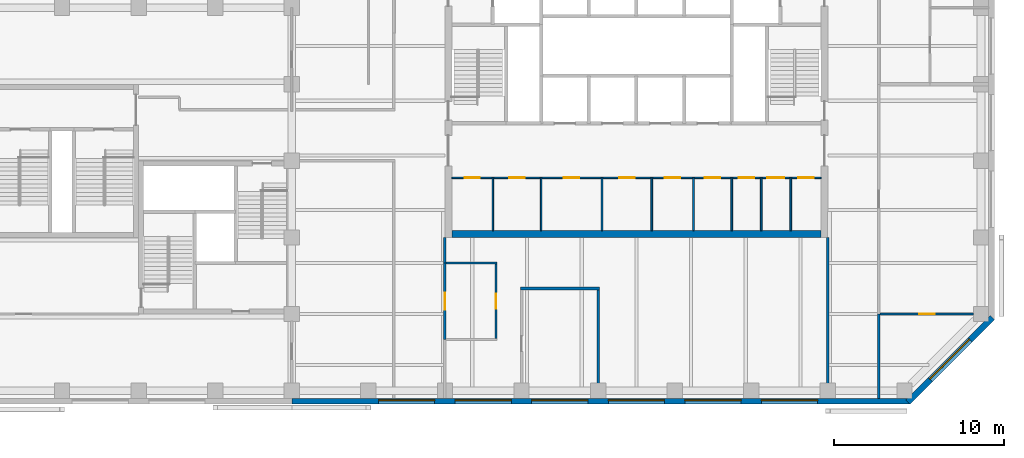
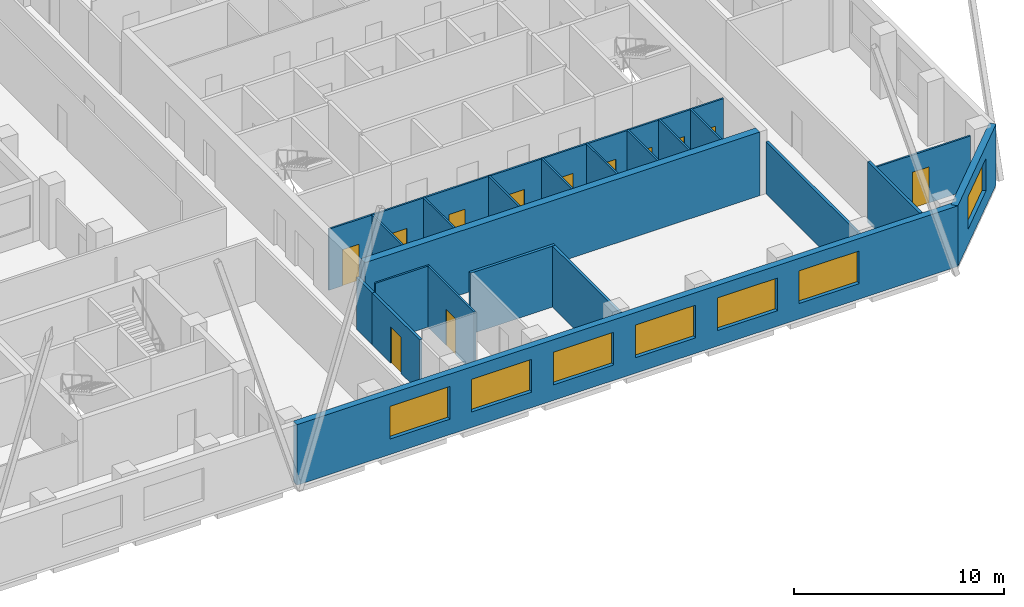
# One storey, part 4 of 9: 21 walls, 12 doors, 7 windows, 19 openings.
"""IFC4 building model written with IfcOpenShell, lengths in metres."""

from ifc_helpers import new_model, si_unit, direction, frame, frame_2d, origin, place, context, subcontext, project, spatial, rectangle, extrude, material, layer, layer_set, constituent, constituent_set, type_object, element, fill, save


model = new_model("IFC4")

# Units and contexts
model_context = context("Model", 3, precision=1e-05, world=origin(), true_north=direction((0.0, 1.0)))
body_context = subcontext(model_context, "Body", "Model", "MODEL_VIEW")
ifc_project = project(units=[si_unit("LENGTHUNIT", "METRE"), si_unit("AREAUNIT", "SQUARE_METRE"), si_unit("VOLUMEUNIT", "CUBIC_METRE"), si_unit("PLANEANGLEUNIT", "RADIAN"), si_unit("MASSUNIT", "GRAM", prefix="KILO")], contexts=[model_context])

# Site, building, storey
site_placement = place(None, origin())
site = spatial("IfcSite", under=ifc_project, at=site_placement, CompositionType="ELEMENT")
building_placement = place(site_placement, origin())
building = spatial("IfcBuilding", under=site, at=building_placement, Name="Quoin Convention Tower", CompositionType="ELEMENT")
storey_placement = place(building_placement, frame((0.0, 0.0, 158.800048828125)))
storey = spatial("IfcBuildingStorey", under=building, at=storey_placement, Name="L41", CompositionType="ELEMENT", Elevation=158.800048828125)

# Walls
ifc_material_1 = material(Name="Plasterboard")
ifc_layer_1 = layer(ifc_material_1, 0.012451171875, Name="Finish")
ifc_material_2 = material(Name="Steel stud framing", Category="steel")
ifc_layer_2 = layer(ifc_material_2, 0.125, Name="Structure")
ifc_layer_3 = layer(ifc_material_1, 0.012451171875, Name="Finish")
ifc_layer_set_1 = layer_set([ifc_layer_1, ifc_layer_2, ifc_layer_3], Name="Steel stud framing")
wall_type_1 = type_object("IfcWallType", Name="Acoustic partition 150", PredefinedType="PARTITIONING", material=ifc_layer_set_1)
wall_1_placement = place(storey_placement, frame((49.425048828125, 46.5, 0.0), z_axis=(0.0, 0.0, 1.0), x_axis=(1.0, 0.0, 0.0)))
element("IfcWall", 1, at=wall_1_placement, inside=storey, type_object=wall_type_1, Name="pw-L41-006", PredefinedType="PARTITIONING", context=body_context, shape_type="SweptSolid", body=[
    extrude(rectangle(XDim=4.64990234375, YDim=0.14990234375, at=frame_2d((2.324951171875, 0.0))), origin(), (0.0, 0.0, 1.0), 3.550048828125),
])
wall_2_placement = place(storey_placement, frame((54.0, 40.050048828125, 0.0), z_axis=(0.0, 0.0, 1.0), x_axis=(0.0, 1.0, 0.0)))
element("IfcWall", 2, at=wall_2_placement, inside=storey, type_object=wall_type_1, Name="pw-L41-033", PredefinedType="PARTITIONING", context=body_context, shape_type="SweptSolid", body=[
    extrude(rectangle(XDim=6.375, YDim=0.14990234375, at=frame_2d((3.1875, 0.0))), origin(), (0.0, 0.0, 1.0), 3.550048828125),
])

# Wall, openings, windows
ifc_material_3 = material(Name="Brick masonry", Category="masonry")
ifc_layer_4 = layer(ifc_material_3, 0.35009765625)
ifc_layer_set_2 = layer_set([ifc_layer_4], Name="Brick masonry")
wall_type_2 = type_object("IfcWallType", Name="Brick facade wall", PredefinedType="STANDARD", material=ifc_layer_set_2)
wall_3_placement = place(storey_placement, frame((36.0, 39.875, 0.0), z_axis=(0.0, 0.0, 1.0), x_axis=(1.0, 0.0, 0.0)))
wall_3 = element("IfcWall", 3, at=wall_3_placement, inside=storey, type_object=wall_type_2, Name="fw-L41-36000_40500", PredefinedType="STANDARD", context=body_context, shape_type="SweptSolid", body=[
    extrude(rectangle(XDim=36.331298828125, YDim=0.35009765625, at=frame_2d((18.16552734375, 0.0))), origin(), (0.0, 0.0, 1.0), 3.52490234375),
])
opening_1_placement = place(wall_3_placement, frame((5.10009765625, 0.0, 0.89990234375)))
opening_1 = element("IfcOpeningElement", 4, at=opening_1_placement, cuts=wall_3, Name="Opening W-02", PredefinedType="OPENING", context=body_context, shape_type="SweptSolid", body=[
    extrude(rectangle(XDim=3.300048828125, YDim=1.89990234375, at=frame_2d((1.64990234375, 0.949951171875))), frame((0.0, 0.18505859375, 0.0), z_axis=(0.0, -1.0, 0.0), x_axis=(1.0, 0.0, 0.0)), (0.0, 0.0, 1.0), 0.3701171875),
])
opening_2_placement = place(wall_3_placement, frame((9.60009765625, 0.0, 0.89990234375)))
opening_2 = element("IfcOpeningElement", 5, at=opening_2_placement, cuts=wall_3, Name="Opening W-02", PredefinedType="OPENING", context=body_context, shape_type="SweptSolid", body=[
    extrude(rectangle(XDim=3.300048828125, YDim=1.89990234375, at=frame_2d((1.64990234375, 0.949951171875))), frame((0.0, 0.18505859375, 0.0), z_axis=(0.0, -1.0, 0.0), x_axis=(1.0, 0.0, 0.0)), (0.0, 0.0, 1.0), 0.3701171875),
])
opening_3_placement = place(wall_3_placement, frame((14.10009765625, 0.0, 0.89990234375)))
opening_3 = element("IfcOpeningElement", 6, at=opening_3_placement, cuts=wall_3, Name="Opening W-02", PredefinedType="OPENING", context=body_context, shape_type="SweptSolid", body=[
    extrude(rectangle(XDim=3.300048828125, YDim=1.89990234375, at=frame_2d((1.64990234375, 0.949951171875))), frame((0.0, 0.18505859375, 0.0), z_axis=(0.0, -1.0, 0.0), x_axis=(1.0, 0.0, 0.0)), (0.0, 0.0, 1.0), 0.3701171875),
])
opening_4_placement = place(wall_3_placement, frame((18.60009765625, 0.0, 0.89990234375)))
opening_4 = element("IfcOpeningElement", 7, at=opening_4_placement, cuts=wall_3, Name="Opening W-02", PredefinedType="OPENING", context=body_context, shape_type="SweptSolid", body=[
    extrude(rectangle(XDim=3.300048828125, YDim=1.89990234375, at=frame_2d((1.64990234375, 0.949951171875))), frame((0.0, 0.18505859375, 0.0), z_axis=(0.0, -1.0, 0.0), x_axis=(1.0, 0.0, 0.0)), (0.0, 0.0, 1.0), 0.3701171875),
])
opening_5_placement = place(wall_3_placement, frame((23.10009765625, 0.0, 0.89990234375)))
opening_5 = element("IfcOpeningElement", 8, at=opening_5_placement, cuts=wall_3, Name="Opening W-02", PredefinedType="OPENING", context=body_context, shape_type="SweptSolid", body=[
    extrude(rectangle(XDim=3.300048828125, YDim=1.89990234375, at=frame_2d((1.64990234375, 0.949951171875))), frame((0.0, 0.18505859375, 0.0), z_axis=(0.0, -1.0, 0.0), x_axis=(1.0, 0.0, 0.0)), (0.0, 0.0, 1.0), 0.3701171875),
])
opening_6_placement = place(wall_3_placement, frame((27.60009765625, 0.0, 0.89990234375)))
opening_6 = element("IfcOpeningElement", 9, at=opening_6_placement, cuts=wall_3, Name="Opening W-02", PredefinedType="OPENING", context=body_context, shape_type="SweptSolid", body=[
    extrude(rectangle(XDim=3.300048828125, YDim=1.89990234375, at=frame_2d((1.64990234375, 0.949951171875))), frame((0.0, 0.18505859375, 0.0), z_axis=(0.0, -1.0, 0.0), x_axis=(1.0, 0.0, 0.0)), (0.0, 0.0, 1.0), 0.3701171875),
])
ifc_material_4 = material(Name="Aluminium", Category="aluminium")
ifc_constituent_1 = constituent(ifc_material_4, Name="Frame")
ifc_material_5 = material(Name="Insulated glass", Category="glass")
ifc_constituent_2 = constituent(ifc_material_5, Name="Glazing")
ifc_constituent_set = constituent_set(constituents=[ifc_constituent_1, ifc_constituent_2], Name="Aluminium")
window_type = type_object("IfcWindowType", Name="Office window", PartitioningType="DOUBLE_PANEL_VERTICAL", PredefinedType="WINDOW", material=ifc_constituent_set)
window_1_placement = place(opening_1_placement, origin())
window_1 = element("IfcWindow", 10, at=window_1_placement, inside=storey, type_object=window_type, Name="win-L41-42750_39875", OverallHeight=1.89990234375, OverallWidth=3.300048828125, PartitioningType="SINGLE_PANEL", PredefinedType="WINDOW", context=body_context, shape_type="SweptSolid", body=[
    extrude(rectangle(XDim=3.300048828125, YDim=1.89990234375, at=frame_2d((1.64990234375, 0.949951171875))), frame((0.0, 0.0849609375, 0.0), z_axis=(0.0, -1.0, 0.0), x_axis=(1.0, 0.0, 0.0)), (0.0, 0.0, 1.0), 0.06005859375),
])
fill(opening_1, window_1)
window_2_placement = place(opening_2_placement, origin())
window_2 = element("IfcWindow", 11, at=window_2_placement, inside=storey, type_object=window_type, Name="win-L41-47250_39875", OverallHeight=1.89990234375, OverallWidth=3.300048828125, PartitioningType="SINGLE_PANEL", PredefinedType="WINDOW", context=body_context, shape_type="SweptSolid", body=[
    extrude(rectangle(XDim=3.300048828125, YDim=1.89990234375, at=frame_2d((1.64990234375, 0.949951171875))), frame((0.0, 0.0849609375, 0.0), z_axis=(0.0, -1.0, 0.0), x_axis=(1.0, 0.0, 0.0)), (0.0, 0.0, 1.0), 0.06005859375),
])
fill(opening_2, window_2)
window_3_placement = place(opening_3_placement, origin())
window_3 = element("IfcWindow", 12, at=window_3_placement, inside=storey, type_object=window_type, Name="win-L41-51750_39875", OverallHeight=1.89990234375, OverallWidth=3.300048828125, PartitioningType="SINGLE_PANEL", PredefinedType="WINDOW", context=body_context, shape_type="SweptSolid", body=[
    extrude(rectangle(XDim=3.300048828125, YDim=1.89990234375, at=frame_2d((1.64990234375, 0.949951171875))), frame((0.0, 0.0849609375, 0.0), z_axis=(0.0, -1.0, 0.0), x_axis=(1.0, 0.0, 0.0)), (0.0, 0.0, 1.0), 0.06005859375),
])
fill(opening_3, window_3)
window_4_placement = place(opening_4_placement, origin())
window_4 = element("IfcWindow", 13, at=window_4_placement, inside=storey, type_object=window_type, Name="win-L41-56250_39875", OverallHeight=1.89990234375, OverallWidth=3.300048828125, PartitioningType="SINGLE_PANEL", PredefinedType="WINDOW", context=body_context, shape_type="SweptSolid", body=[
    extrude(rectangle(XDim=3.300048828125, YDim=1.89990234375, at=frame_2d((1.64990234375, 0.949951171875))), frame((0.0, 0.0849609375, 0.0), z_axis=(0.0, -1.0, 0.0), x_axis=(1.0, 0.0, 0.0)), (0.0, 0.0, 1.0), 0.06005859375),
])
fill(opening_4, window_4)
window_5_placement = place(opening_5_placement, origin())
window_5 = element("IfcWindow", 14, at=window_5_placement, inside=storey, type_object=window_type, Name="win-L41-60750_39875", OverallHeight=1.89990234375, OverallWidth=3.300048828125, PartitioningType="SINGLE_PANEL", PredefinedType="WINDOW", context=body_context, shape_type="SweptSolid", body=[
    extrude(rectangle(XDim=3.300048828125, YDim=1.89990234375, at=frame_2d((1.64990234375, 0.949951171875))), frame((0.0, 0.0849609375, 0.0), z_axis=(0.0, -1.0, 0.0), x_axis=(1.0, 0.0, 0.0)), (0.0, 0.0, 1.0), 0.06005859375),
])
fill(opening_5, window_5)
window_6_placement = place(opening_6_placement, origin())
window_6 = element("IfcWindow", 15, at=window_6_placement, inside=storey, type_object=window_type, Name="win-L41-65250_39875", OverallHeight=1.89990234375, OverallWidth=3.300048828125, PartitioningType="SINGLE_PANEL", PredefinedType="WINDOW", context=body_context, shape_type="SweptSolid", body=[
    extrude(rectangle(XDim=3.300048828125, YDim=1.89990234375, at=frame_2d((1.64990234375, 0.949951171875))), frame((0.0, 0.0849609375, 0.0), z_axis=(0.0, -1.0, 0.0), x_axis=(1.0, 0.0, 0.0)), (0.0, 0.0, 1.0), 0.06005859375),
])
fill(opening_6, window_6)

# Wall, opening, window
wall_4_placement = place(storey_placement, frame((72.20751953125, 39.82373046875, 0.0), z_axis=(0.0, 0.0, 1.0), x_axis=(0.707106781187, 0.707106781187, 0.0)))
wall_4 = element("IfcWall", 16, at=wall_4_placement, inside=storey, type_object=wall_type_2, Name="fw-L41-72000_40500", PredefinedType="STANDARD", context=body_context, shape_type="SweptSolid", body=[
    extrude(rectangle(XDim=7.02685546875, YDim=0.35009765625, at=frame_2d((3.513427734375, 0.0))), origin(), (0.0, 0.0, 1.0), 3.52490234375),
])
opening_7_placement = place(wall_4_placement, frame((1.86328125, 0.0, 0.89990234375)))
opening_7 = element("IfcOpeningElement", 17, at=opening_7_placement, cuts=wall_4, Name="Opening W-02", PredefinedType="OPENING", context=body_context, shape_type="SweptSolid", body=[
    extrude(rectangle(XDim=3.300048828125, YDim=1.89990234375, at=frame_2d((1.64990234375, 0.949951171875))), frame((0.0, 0.18505859375, 0.0), z_axis=(0.0, -1.0, 0.0), x_axis=(1.0, 0.0, 0.0)), (0.0, 0.0, 1.0), 0.3701171875),
])
window_7_placement = place(opening_7_placement, origin())
window_7 = element("IfcWindow", 18, at=window_7_placement, inside=storey, type_object=window_type, Name="win-L41-74692_42308", OverallHeight=1.89990234375, OverallWidth=3.300048828125, PartitioningType="SINGLE_PANEL", PredefinedType="WINDOW", context=body_context, shape_type="SweptSolid", body=[
    extrude(rectangle(XDim=3.300048828125, YDim=1.89990234375, at=frame_2d((1.64990234375, 0.949951171875))), frame((0.0, 0.0849609375, 0.0), z_axis=(0.0, -1.0, 0.0), x_axis=(1.0, 0.0, 0.0)), (0.0, 0.0, 1.0), 0.06005859375),
])
fill(opening_7, window_7)

# Wall, openings, doors
ifc_layer_5 = layer(ifc_material_1, 0.012451171875, Name="Finish")
ifc_layer_6 = layer(ifc_material_2, 0.074951171875, Name="Structure")
ifc_layer_7 = layer(ifc_material_1, 0.012451171875, Name="Finish")
ifc_layer_set_3 = layer_set([ifc_layer_5, ifc_layer_6, ifc_layer_7], Name="Steel stud framing")
wall_type_3 = type_object("IfcWallType", Name="Core partition wall", PredefinedType="PARTITIONING", material=ifc_layer_set_3)
wall_5_placement = place(storey_placement, frame((45.39990234375, 53.0, 0.0), z_axis=(0.0, 0.0, 1.0), x_axis=(1.0, 0.0, 0.0)))
wall_5 = element("IfcWall", 19, at=wall_5_placement, inside=storey, type_object=wall_type_3, Name="cr-C1-L41-h3500_400", PredefinedType="PARTITIONING", context=body_context, shape_type="SweptSolid", body=[
    extrude(rectangle(XDim=21.7001953125, YDim=0.10009765625, at=frame_2d((10.85009765625, 0.0))), origin(), (0.0, 0.0, 1.0), 3.550048828125),
])
opening_8_placement = place(wall_5_placement, frame((20.357421875, 0.0, 0.0)))
opening_8 = element("IfcOpeningElement", 20, at=opening_8_placement, cuts=wall_5, Name="Opening DCV2-32", PredefinedType="OPENING", context=body_context, shape_type="SweptSolid", body=[
    extrude(rectangle(XDim=0.89990234375, YDim=2.10009765625, at=frame_2d((0.449951171875, 1.050048828125))), frame((0.0, 0.06005859375, 0.0), z_axis=(0.0, -1.0, 0.0), x_axis=(1.0, 0.0, 0.0)), (0.0, 0.0, 1.0), 0.1201171875),
])
opening_9_placement = place(wall_5_placement, frame((18.548828125, 0.0, 0.0)))
opening_9 = element("IfcOpeningElement", 21, at=opening_9_placement, cuts=wall_5, Name="Opening DCV2-31", PredefinedType="OPENING", context=body_context, shape_type="SweptSolid", body=[
    extrude(rectangle(XDim=1.0, YDim=2.10009765625, at=frame_2d((0.5, 1.050048828125))), frame((0.0, 0.06005859375, 0.0), z_axis=(0.0, -1.0, 0.0), x_axis=(1.0, 0.0, 0.0)), (0.0, 0.0, 1.0), 0.1201171875),
])
opening_10_placement = place(wall_5_placement, frame((16.8662109375, 0.0, 0.0)))
opening_10 = element("IfcOpeningElement", 22, at=opening_10_placement, cuts=wall_5, Name="Opening DCV2-30", PredefinedType="OPENING", context=body_context, shape_type="SweptSolid", body=[
    extrude(rectangle(XDim=0.89990234375, YDim=2.10009765625, at=frame_2d((0.449951171875, 1.050048828125))), frame((0.0, 0.06005859375, 0.0), z_axis=(0.0, -1.0, 0.0), x_axis=(1.0, 0.0, 0.0)), (0.0, 0.0, 1.0), 0.1201171875),
])
opening_11_placement = place(wall_5_placement, frame((0.757568359375, 0.0, 0.0)))
opening_11 = element("IfcOpeningElement", 23, at=opening_11_placement, cuts=wall_5, Name="Opening DCV2-22", PredefinedType="OPENING", context=body_context, shape_type="SweptSolid", body=[
    extrude(rectangle(XDim=0.89990234375, YDim=2.10009765625, at=frame_2d((0.449951171875, 1.050048828125))), frame((0.0, 0.06005859375, 0.0), z_axis=(0.0, -1.0, 0.0), x_axis=(1.0, 0.0, 0.0)), (0.0, 0.0, 1.0), 0.1201171875),
])
opening_12_placement = place(wall_5_placement, frame((3.382568359375, 0.0, 0.0)))
opening_12 = element("IfcOpeningElement", 24, at=opening_12_placement, cuts=wall_5, Name="Opening DCV2-23", PredefinedType="OPENING", context=body_context, shape_type="SweptSolid", body=[
    extrude(rectangle(XDim=0.89990234375, YDim=2.10009765625, at=frame_2d((0.449951171875, 1.050048828125))), frame((0.0, 0.06005859375, 0.0), z_axis=(0.0, -1.0, 0.0), x_axis=(1.0, 0.0, 0.0)), (0.0, 0.0, 1.0), 0.1201171875),
])
opening_13_placement = place(wall_5_placement, frame((6.592041015625, 0.0, 0.0)))
opening_13 = element("IfcOpeningElement", 25, at=opening_13_placement, cuts=wall_5, Name="Opening DCV2-24", PredefinedType="OPENING", context=body_context, shape_type="SweptSolid", body=[
    extrude(rectangle(XDim=0.89990234375, YDim=2.10009765625, at=frame_2d((0.449951171875, 1.050048828125))), frame((0.0, 0.06005859375, 0.0), z_axis=(0.0, -1.0, 0.0), x_axis=(1.0, 0.0, 0.0)), (0.0, 0.0, 1.0), 0.1201171875),
])
opening_14_placement = place(wall_5_placement, frame((9.840087890625, 0.0, 0.0)))
opening_14 = element("IfcOpeningElement", 26, at=opening_14_placement, cuts=wall_5, Name="Opening DCV2-26", PredefinedType="OPENING", context=body_context, shape_type="SweptSolid", body=[
    extrude(rectangle(XDim=0.89990234375, YDim=2.10009765625, at=frame_2d((0.449951171875, 1.050048828125))), frame((0.0, 0.06005859375, 0.0), z_axis=(0.0, -1.0, 0.0), x_axis=(1.0, 0.0, 0.0)), (0.0, 0.0, 1.0), 0.1201171875),
])
opening_15_placement = place(wall_5_placement, frame((12.528076171875, 0.0, 0.0)))
opening_15 = element("IfcOpeningElement", 27, at=opening_15_placement, cuts=wall_5, Name="Opening DCV2-27", PredefinedType="OPENING", context=body_context, shape_type="SweptSolid", body=[
    extrude(rectangle(XDim=0.89990234375, YDim=2.10009765625, at=frame_2d((0.449951171875, 1.050048828125))), frame((0.0, 0.06005859375, 0.0), z_axis=(0.0, -1.0, 0.0), x_axis=(1.0, 0.0, 0.0)), (0.0, 0.0, 1.0), 0.1201171875),
])
opening_16_placement = place(wall_5_placement, frame((14.8798828125, 0.0, 0.0)))
opening_16 = element("IfcOpeningElement", 28, at=opening_16_placement, cuts=wall_5, Name="Opening DCV2-29", PredefinedType="OPENING", context=body_context, shape_type="SweptSolid", body=[
    extrude(rectangle(XDim=0.89990234375, YDim=2.10009765625, at=frame_2d((0.449951171875, 1.050048828125))), frame((0.0, 0.06005859375, 0.0), z_axis=(0.0, -1.0, 0.0), x_axis=(1.0, 0.0, 0.0)), (0.0, 0.0, 1.0), 0.1201171875),
])
ifc_material_6 = material(Name="Steel door leaf", Category="steel")
door_type_1 = type_object("IfcDoorType", Name="Core room door 1000 x 2100", OperationType="SINGLE_SWING_LEFT", PredefinedType="DOOR", material=ifc_material_6)
door_1_placement = place(opening_9_placement, frame((1.0, 0.0, 0.0), z_axis=(0.0, 0.0, 1.0), x_axis=(-1.0, 0.0, 0.0)))
door_1 = element("IfcDoor", 29, at=door_1_placement, inside=storey, type_object=door_type_1, Name="cd-C1-L41-CSE1-lobA-CD4111", OperationType="SINGLE_SWING_LEFT", OverallHeight=2.10009765625, OverallWidth=1.0, PredefinedType="DOOR", context=body_context, shape_type="SweptSolid", body=[
    extrude(rectangle(XDim=1.0, YDim=2.10009765625, at=frame_2d((0.5, 1.050048828125))), frame((0.0, 0.02490234375, 0.0), z_axis=(0.0, -1.0, 0.0), x_axis=(1.0, 0.0, 0.0)), (0.0, 0.0, 1.0), 0.050048828125),
])
fill(opening_9, door_1)
door_type_2 = type_object("IfcDoorType", Name="Core room door 900 x 2100", OperationType="SINGLE_SWING_LEFT", PredefinedType="DOOR", material=ifc_material_6)
door_2_placement = place(opening_8_placement, frame((0.89990234375, 0.0, 0.0), z_axis=(0.0, 0.0, 1.0), x_axis=(-1.0, 0.0, 0.0)))
door_2 = element("IfcDoor", 30, at=door_2_placement, inside=storey, type_object=door_type_2, Name="cd-C1-L41-CSE0-lobA-CD4110", OperationType="SINGLE_SWING_LEFT", OverallHeight=2.10009765625, OverallWidth=0.89990234375, PredefinedType="DOOR", context=body_context, shape_type="SweptSolid", body=[
    extrude(rectangle(XDim=0.89990234375, YDim=2.10009765625, at=frame_2d((0.449951171875, 1.050048828125))), frame((0.0, 0.02490234375, 0.0), z_axis=(0.0, -1.0, 0.0), x_axis=(1.0, 0.0, 0.0)), (0.0, 0.0, 1.0), 0.050048828125),
])
fill(opening_8, door_2)
door_3_placement = place(opening_10_placement, frame((0.89990234375, 0.0, 0.0), z_axis=(0.0, 0.0, 1.0), x_axis=(-1.0, 0.0, 0.0)))
door_3 = element("IfcDoor", 31, at=door_3_placement, inside=storey, type_object=door_type_2, Name="cd-C1-L41-CSE2-lobA-CD4112", OperationType="SINGLE_SWING_LEFT", OverallHeight=2.10009765625, OverallWidth=0.89990234375, PredefinedType="DOOR", context=body_context, shape_type="SweptSolid", body=[
    extrude(rectangle(XDim=0.89990234375, YDim=2.10009765625, at=frame_2d((0.449951171875, 1.050048828125))), frame((0.0, 0.02490234375, 0.0), z_axis=(0.0, -1.0, 0.0), x_axis=(1.0, 0.0, 0.0)), (0.0, 0.0, 1.0), 0.050048828125),
])
fill(opening_10, door_3)
door_4_placement = place(opening_11_placement, frame((0.89990234375, 0.0, 0.0), z_axis=(0.0, 0.0, 1.0), x_axis=(-1.0, 0.0, 0.0)))
door_4 = element("IfcDoor", 32, at=door_4_placement, inside=storey, type_object=door_type_2, Name="cd-C1-L41-CSW0-lobA-CD4113", OperationType="SINGLE_SWING_LEFT", OverallHeight=2.10009765625, OverallWidth=0.89990234375, PredefinedType="DOOR", context=body_context, shape_type="SweptSolid", body=[
    extrude(rectangle(XDim=0.89990234375, YDim=2.10009765625, at=frame_2d((0.449951171875, 1.050048828125))), frame((0.0, 0.02490234375, 0.0), z_axis=(0.0, -1.0, 0.0), x_axis=(1.0, 0.0, 0.0)), (0.0, 0.0, 1.0), 0.050048828125),
])
fill(opening_11, door_4)
door_5_placement = place(opening_12_placement, frame((0.89990234375, 0.0, 0.0), z_axis=(0.0, 0.0, 1.0), x_axis=(-1.0, 0.0, 0.0)))
door_5 = element("IfcDoor", 33, at=door_5_placement, inside=storey, type_object=door_type_2, Name="cd-C1-L41-CSW1-lobA-CD4114", OperationType="SINGLE_SWING_LEFT", OverallHeight=2.10009765625, OverallWidth=0.89990234375, PredefinedType="DOOR", context=body_context, shape_type="SweptSolid", body=[
    extrude(rectangle(XDim=0.89990234375, YDim=2.10009765625, at=frame_2d((0.449951171875, 1.050048828125))), frame((0.0, 0.02490234375, 0.0), z_axis=(0.0, -1.0, 0.0), x_axis=(1.0, 0.0, 0.0)), (0.0, 0.0, 1.0), 0.050048828125),
])
fill(opening_12, door_5)
door_6_placement = place(opening_13_placement, frame((0.89990234375, 0.0, 0.0), z_axis=(0.0, 0.0, 1.0), x_axis=(-1.0, 0.0, 0.0)))
door_6 = element("IfcDoor", 34, at=door_6_placement, inside=storey, type_object=door_type_2, Name="cd-C1-L41-F10-lobA-CD4115", OperationType="SINGLE_SWING_LEFT", OverallHeight=2.10009765625, OverallWidth=0.89990234375, PredefinedType="DOOR", context=body_context, shape_type="SweptSolid", body=[
    extrude(rectangle(XDim=0.89990234375, YDim=2.10009765625, at=frame_2d((0.449951171875, 1.050048828125))), frame((0.0, 0.02490234375, 0.0), z_axis=(0.0, -1.0, 0.0), x_axis=(1.0, 0.0, 0.0)), (0.0, 0.0, 1.0), 0.050048828125),
])
fill(opening_13, door_6)
door_7_placement = place(opening_14_placement, frame((0.89990234375, 0.0, 0.0), z_axis=(0.0, 0.0, 1.0), x_axis=(-1.0, 0.0, 0.0)))
door_7 = element("IfcDoor", 35, at=door_7_placement, inside=storey, type_object=door_type_2, Name="cd-C1-L41-F11-lobA-CD4116", OperationType="SINGLE_SWING_LEFT", OverallHeight=2.10009765625, OverallWidth=0.89990234375, PredefinedType="DOOR", context=body_context, shape_type="SweptSolid", body=[
    extrude(rectangle(XDim=0.89990234375, YDim=2.10009765625, at=frame_2d((0.449951171875, 1.050048828125))), frame((0.0, 0.02490234375, 0.0), z_axis=(0.0, -1.0, 0.0), x_axis=(1.0, 0.0, 0.0)), (0.0, 0.0, 1.0), 0.050048828125),
])
fill(opening_14, door_7)
door_8_placement = place(opening_15_placement, frame((0.89990234375, 0.0, 0.0), z_axis=(0.0, 0.0, 1.0), x_axis=(-1.0, 0.0, 0.0)))
door_8 = element("IfcDoor", 36, at=door_8_placement, inside=storey, type_object=door_type_2, Name="cd-C1-L41-F12-lobA-CD4117", OperationType="SINGLE_SWING_LEFT", OverallHeight=2.10009765625, OverallWidth=0.89990234375, PredefinedType="DOOR", context=body_context, shape_type="SweptSolid", body=[
    extrude(rectangle(XDim=0.89990234375, YDim=2.10009765625, at=frame_2d((0.449951171875, 1.050048828125))), frame((0.0, 0.02490234375, 0.0), z_axis=(0.0, -1.0, 0.0), x_axis=(1.0, 0.0, 0.0)), (0.0, 0.0, 1.0), 0.050048828125),
])
fill(opening_15, door_8)
door_9_placement = place(opening_16_placement, frame((0.89990234375, 0.0, 0.0), z_axis=(0.0, 0.0, 1.0), x_axis=(-1.0, 0.0, 0.0)))
door_9 = element("IfcDoor", 37, at=door_9_placement, inside=storey, type_object=door_type_2, Name="cd-C1-L41-F13-lobA-CD4118", OperationType="SINGLE_SWING_LEFT", OverallHeight=2.10009765625, OverallWidth=0.89990234375, PredefinedType="DOOR", context=body_context, shape_type="SweptSolid", body=[
    extrude(rectangle(XDim=0.89990234375, YDim=2.10009765625, at=frame_2d((0.449951171875, 1.050048828125))), frame((0.0, 0.02490234375, 0.0), z_axis=(0.0, -1.0, 0.0), x_axis=(1.0, 0.0, 0.0)), (0.0, 0.0, 1.0), 0.050048828125),
])
fill(opening_16, door_9)

# Walls
for number, where, z_axis, x_axis, name in (
    (38, (47.81494140625, 49.89990234375, 0.0), (0.0, 0.0, 1.0), (0.0, 1.0, 0.0), "cr-C1-L41-v2815_400"),
    (39, (50.64990234375, 49.89990234375, 0.0), (0.0, 0.0, 1.0), (0.0, 1.0, 0.0), "cr-C1-L41-v5650_400"),
    (40, (54.23388671875, 49.89990234375, 0.0), (0.0, 0.0, 1.0), (0.0, 1.0, 0.0), "cr-C1-L41-v9234_400"),
    (41, (57.14599609375, 49.89990234375, 0.0), (0.0, 0.0, 1.0), (0.0, 1.0, 0.0), "cr-C1-L41-v12146_400"),
    (42, (59.610107421875, 49.89990234375, 0.0), (0.0, 0.0, 1.0), (0.0, 1.0, 0.0), "cr-C1-L41-v14610_400"),
    (43, (61.85009765625, 49.89990234375, 0.0), (0.0, 0.0, 1.0), (0.0, 1.0, 0.0), "cr-C1-L41-v16850_400"),
    (44, (63.58251953125, 49.89990234375, 0.0), (0.0, 0.0, 1.0), (0.0, 1.0, 0.0), "cr-C1-L41-v18582_400"),
    (45, (65.31494140625, 49.89990234375, 0.0), (0.0, 0.0, 1.0), (0.0, 1.0, 0.0), "cr-C1-L41-v20315_400"),
):
    element("IfcWall", number, at=place(storey_placement, frame(where, z_axis=z_axis, x_axis=x_axis)), inside=storey, type_object=wall_type_3, Name=name, PredefinedType="PARTITIONING", context=body_context, shape_type="SweptSolid", body=[
        extrude(rectangle(XDim=3.10009765625, YDim=0.10009765625, at=frame_2d((1.550048828125, 0.0))), origin(), (0.0, 0.0, 1.0), 3.550048828125),
    ])
ifc_layer_8 = layer(ifc_material_1, 0.012451171875, Name="Finish")
ifc_layer_9 = layer(ifc_material_2, 0.125, Name="Structure")
ifc_layer_10 = layer(ifc_material_1, 0.012451171875, Name="Finish")
ifc_layer_set_4 = layer_set([ifc_layer_8, ifc_layer_9, ifc_layer_10], Name="Steel stud framing")
wall_type_4 = type_object("IfcWallType", Name="Corridor wall 150", PredefinedType="PARTITIONING", material=ifc_layer_set_4)
wall_6_placement = place(storey_placement, frame((70.5, 40.050048828125, 0.0), z_axis=(0.0, 0.0, 1.0), x_axis=(0.0, 1.0, 0.0)))
element("IfcWall", 46, at=wall_6_placement, inside=storey, type_object=wall_type_4, Name="pw-L41-035", PredefinedType="PARTITIONING", context=body_context, shape_type="SweptSolid", body=[
    extrude(rectangle(XDim=4.949951171875, YDim=0.14990234375, at=frame_2d((2.47509765625, 0.0))), origin(), (0.0, 0.0, 1.0), 3.550048828125),
])
ifc_layer_11 = layer(ifc_material_1, 0.012451171875, Name="Finish")
ifc_layer_12 = layer(ifc_material_2, 0.125, Name="Structure")
ifc_layer_13 = layer(ifc_material_1, 0.012451171875, Name="Finish")
ifc_layer_set_5 = layer_set([ifc_layer_11, ifc_layer_12, ifc_layer_13], Name="Steel stud framing")
wall_type_5 = type_object("IfcWallType", Name="Corridor wall 150 under beam 528", PredefinedType="PARTITIONING", material=ifc_layer_set_5)
wall_7_placement = place(storey_placement, frame((67.5, 40.050048828125, 0.0), z_axis=(0.0, 0.0, 1.0), x_axis=(0.0, 1.0, 0.0)))
element("IfcWall", 47, at=wall_7_placement, inside=storey, type_object=wall_type_5, Name="pw-L41-034", PredefinedType="PARTITIONING", context=body_context, shape_type="SweptSolid", body=[
    extrude(rectangle(XDim=9.449951171875, YDim=0.14990234375, at=frame_2d((4.72509765625, 0.0))), origin(), (0.0, 0.0, 1.0), 3.02197265625),
])

# Wall, opening, door
wall_8_placement = place(storey_placement, frame((45.0, 43.5, 0.0), z_axis=(0.0, 0.0, 1.0), x_axis=(0.0, 1.0, 0.0)))
wall_8 = element("IfcWall", 48, at=wall_8_placement, inside=storey, type_object=wall_type_5, Name="pw-L41-037", PredefinedType="PARTITIONING", context=body_context, shape_type="SweptSolid", body=[
    extrude(rectangle(XDim=4.5, YDim=0.14990234375, at=frame_2d((2.25, 0.0))), origin(), (0.0, 0.0, 1.0), 3.02197265625),
])
opening_17_placement = place(wall_8_placement, frame((1.75, 0.0, 0.0)))
opening_17 = element("IfcOpeningElement", 49, at=opening_17_placement, cuts=wall_8, Name="Opening DOH2-08", PredefinedType="OPENING", context=body_context, shape_type="SweptSolid", body=[
    extrude(rectangle(XDim=1.0, YDim=2.10009765625, at=frame_2d((0.5, 1.050048828125))), frame((0.0, 0.0849609375, 0.0), z_axis=(0.0, -1.0, 0.0), x_axis=(1.0, 0.0, 0.0)), (0.0, 0.0, 1.0), 0.169921875),
])
door_type_3 = type_object("IfcDoorType", Name="Tenancy entrance door 1000 x 2100", OperationType="DOUBLE_DOOR_SINGLE_SWING", PredefinedType="DOOR", material=ifc_material_6)
door_10_placement = place(opening_17_placement, origin())
door_10 = element("IfcDoor", 50, at=door_10_placement, inside=storey, type_object=door_type_3, Name="dr-L41-13", OperationType="DOUBLE_DOOR_SINGLE_SWING", OverallHeight=2.10009765625, OverallWidth=1.0, PredefinedType="DOOR", context=body_context, shape_type="SweptSolid", body=[
    extrude(rectangle(XDim=1.0, YDim=2.10009765625, at=frame_2d((0.5, 1.050048828125))), frame((0.0, 0.02490234375, 0.0), z_axis=(0.0, -1.0, 0.0), x_axis=(1.0, 0.0, 0.0)), (0.0, 0.0, 1.0), 0.050048828125),
])
fill(opening_17, door_10)

# Walls
wall_9_placement = place(storey_placement, frame((45.0, 48.0, 0.0), z_axis=(0.0, 0.0, 1.0), x_axis=(0.0, 1.0, 0.0)))
element("IfcWall", 51, at=wall_9_placement, inside=storey, type_object=wall_type_5, Name="pw-L41-044", PredefinedType="PARTITIONING", context=body_context, shape_type="SweptSolid", body=[
    extrude(rectangle(XDim=1.5, YDim=0.14990234375, at=frame_2d((0.75, 0.0))), origin(), (0.0, 0.0, 1.0), 3.02197265625),
])
ifc_material_7 = material(Name="Concrete C50", Category="concrete")
ifc_layer_14 = layer(ifc_material_7, 0.39990234375)
ifc_layer_set_6 = layer_set([ifc_layer_14], Name="Concrete C50")
wall_type_6 = type_object("IfcWallType", Name="RC CORE WALL 400 C50", PredefinedType="SHEAR", material=ifc_layer_set_6)
wall_10_placement = place(storey_placement, frame((45.39990234375, 49.699951171875, 0.0), z_axis=(0.0, 0.0, 1.0), x_axis=(1.0, 0.0, 0.0)))
element("IfcWall", 52, at=wall_10_placement, inside=storey, type_object=wall_type_6, Name="cwl-C1-L41-S", PredefinedType="SHEAR", context=body_context, shape_type="SweptSolid", body=[
    extrude(rectangle(XDim=21.7001953125, YDim=0.39990234375, at=frame_2d((10.85009765625, 0.0))), origin(), (0.0, 0.0, 1.0), 3.699951171875),
])
ifc_layer_15 = layer(ifc_material_1, 0.012451171875, Name="Finish")
ifc_layer_16 = layer(ifc_material_2, 0.074951171875, Name="Structure")
ifc_layer_17 = layer(ifc_material_1, 0.012451171875, Name="Finish")
ifc_layer_set_7 = layer_set([ifc_layer_15, ifc_layer_16, ifc_layer_17], Name="Steel stud framing")
wall_type_7 = type_object("IfcWallType", Name="Stud partition 100", PredefinedType="PARTITIONING", material=ifc_layer_set_7)
wall_11_placement = place(storey_placement, frame((45.074951171875, 48.0, 0.0), z_axis=(0.0, 0.0, 1.0), x_axis=(1.0, 0.0, 0.0)))
element("IfcWall", 53, at=wall_11_placement, inside=storey, type_object=wall_type_7, Name="pw-L41-007", PredefinedType="PARTITIONING", context=body_context, shape_type="SweptSolid", body=[
    extrude(rectangle(XDim=2.97509765625, YDim=0.10009765625, at=frame_2d((1.487548828125, 0.0))), origin(), (0.0, 0.0, 1.0), 3.550048828125),
])

# Wall, opening, door
wall_12_placement = place(storey_placement, frame((48.0, 43.550048828125, 0.0), z_axis=(0.0, 0.0, 1.0), x_axis=(0.0, 1.0, 0.0)))
wall_12 = element("IfcWall", 54, at=wall_12_placement, inside=storey, type_object=wall_type_7, Name="pw-L41-038", PredefinedType="PARTITIONING", context=body_context, shape_type="SweptSolid", body=[
    extrude(rectangle(XDim=4.39990234375, YDim=0.10009765625, at=frame_2d((2.199951171875, 0.0))), origin(), (0.0, 0.0, 1.0), 3.550048828125),
])
opening_18_placement = place(wall_12_placement, frame((1.75, 0.0, 0.0)))
opening_18 = element("IfcOpeningElement", 55, at=opening_18_placement, cuts=wall_12, Name="Opening DOH2-09", PredefinedType="OPENING", context=body_context, shape_type="SweptSolid", body=[
    extrude(rectangle(XDim=0.89990234375, YDim=2.10009765625, at=frame_2d((0.449951171875, 1.050048828125))), frame((0.0, 0.06005859375, 0.0), z_axis=(0.0, -1.0, 0.0), x_axis=(1.0, 0.0, 0.0)), (0.0, 0.0, 1.0), 0.1201171875),
])
door_type_4 = type_object("IfcDoorType", Name="Office door 900 x 2100", OperationType="SINGLE_SWING_RIGHT", PredefinedType="DOOR", material=ifc_material_6)
door_11_placement = place(opening_18_placement, frame((0.89990234375, 0.0, 0.0), z_axis=(0.0, 0.0, 1.0), x_axis=(-1.0, 0.0, 0.0)))
door_11 = element("IfcDoor", 56, at=door_11_placement, inside=storey, type_object=door_type_4, Name="dr-L41-14", OperationType="SINGLE_SWING_LEFT", OverallHeight=2.10009765625, OverallWidth=0.89990234375, PredefinedType="DOOR", context=body_context, shape_type="SweptSolid", body=[
    extrude(rectangle(XDim=0.89990234375, YDim=2.10009765625, at=frame_2d((0.449951171875, 1.050048828125))), frame((0.0, 0.02490234375, 0.0), z_axis=(0.0, -1.0, 0.0), x_axis=(1.0, 0.0, 0.0)), (0.0, 0.0, 1.0), 0.050048828125),
])
fill(opening_18, door_11)

ifc_layer_18 = layer(ifc_material_1, 0.012451171875, Name="Finish")
ifc_layer_19 = layer(ifc_material_2, 0.074951171875, Name="Structure")
ifc_layer_20 = layer(ifc_material_1, 0.012451171875, Name="Finish")
ifc_layer_set_8 = layer_set([ifc_layer_18, ifc_layer_19, ifc_layer_20], Name="Steel stud framing")
wall_type_8 = type_object("IfcWallType", Name="Stud partition 100 under beam 454", PredefinedType="PARTITIONING", material=ifc_layer_set_8)
wall_13_placement = place(storey_placement, frame((70.574951171875, 45.0, 0.0), z_axis=(0.0, 0.0, 1.0), x_axis=(1.0, 0.0, 0.0)))
wall_13 = element("IfcWall", 57, at=wall_13_placement, inside=storey, type_object=wall_type_8, Name="pw-L41-004", PredefinedType="PARTITIONING", context=body_context, shape_type="SweptSolid", body=[
    extrude(rectangle(XDim=5.47509765625, YDim=0.10009765625, at=frame_2d((2.737548828125, 0.0))), origin(), (0.0, 0.0, 1.0), 3.095947265625),
])
opening_19_placement = place(wall_13_placement, frame((2.300048828125, 0.0, 0.0)))
opening_19 = element("IfcOpeningElement", 58, at=opening_19_placement, cuts=wall_13, Name="Opening DOH2-01", PredefinedType="OPENING", context=body_context, shape_type="SweptSolid", body=[
    extrude(rectangle(XDim=0.89990234375, YDim=2.10009765625, at=frame_2d((0.449951171875, 1.050048828125))), frame((0.0, 0.06005859375, 0.0), z_axis=(0.0, -1.0, 0.0), x_axis=(1.0, 0.0, 0.0)), (0.0, 0.0, 1.0), 0.1201171875),
])
door_12_placement = place(opening_19_placement, origin())
door_12 = element("IfcDoor", 59, at=door_12_placement, inside=storey, type_object=door_type_4, Name="dr-L41-25", OperationType="SINGLE_SWING_RIGHT", OverallHeight=2.10009765625, OverallWidth=0.89990234375, PredefinedType="DOOR", context=body_context, shape_type="SweptSolid", body=[
    extrude(rectangle(XDim=0.89990234375, YDim=2.10009765625, at=frame_2d((0.449951171875, 1.050048828125))), frame((0.0, 0.02490234375, 0.0), z_axis=(0.0, -1.0, 0.0), x_axis=(1.0, 0.0, 0.0)), (0.0, 0.0, 1.0), 0.050048828125),
])
fill(opening_19, door_12)

save(model, "model.ifc")
